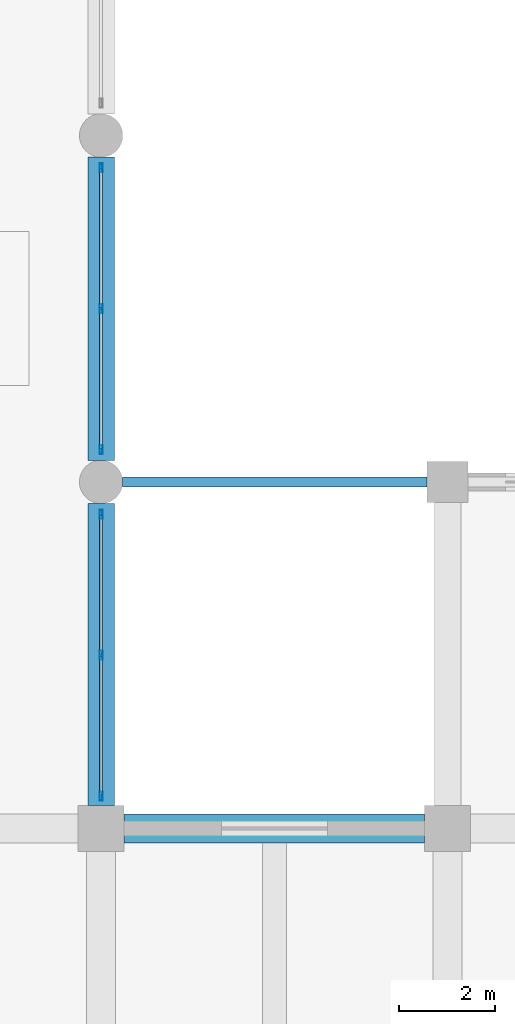
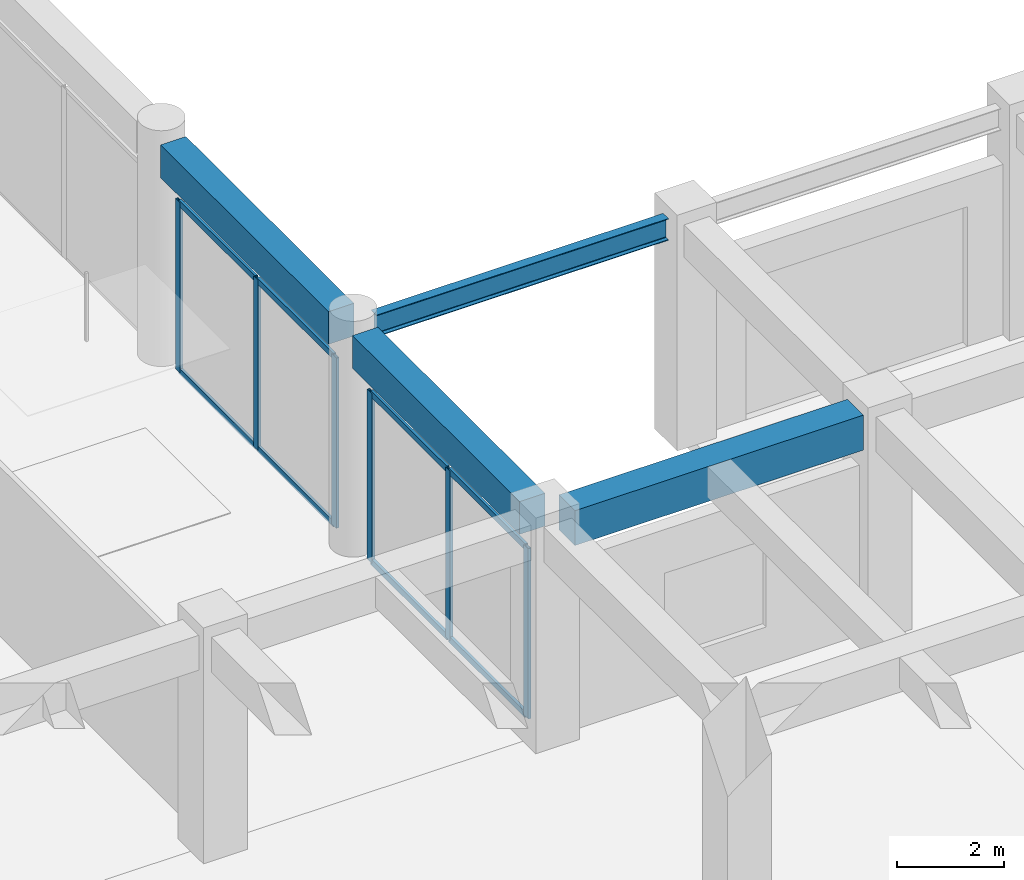
# One storey, part 16 of 56: 14 members, 4 beams, 2 elements without a shape of their own.
"""IFC4 building model written with IfcOpenShell, lengths in metres."""

from ifc_helpers import new_model, si_unit, direction, frame, origin, origin_2d, place, context, subcontext, project, spatial, rectangle, hollow_rectangle, i_section, extrude, material, material_profile, profile_set, type_object, element, aggregate, save


model = new_model("IFC4")

# Units and contexts
model_context = context("Model", 3, precision=1e-05, world=origin(), true_north=direction((0.0, 1.0)))
body_context = subcontext(model_context, "Body", "Model", "MODEL_VIEW")
ifc_project = project(units=[si_unit("LENGTHUNIT", "METRE"), si_unit("AREAUNIT", "SQUARE_METRE"), si_unit("VOLUMEUNIT", "CUBIC_METRE"), si_unit("PLANEANGLEUNIT", "RADIAN"), si_unit("MASSUNIT", "GRAM", prefix="KILO")], contexts=[model_context])

# Site, building, storey
site_placement = place(None, origin())
site = spatial("IfcSite", under=ifc_project, at=site_placement, CompositionType="ELEMENT")
building_placement = place(site_placement, origin())
building = spatial("IfcBuilding", under=site, at=building_placement, Name="Kazehaya Institute of Natural Sciences", CompositionType="ELEMENT")
storey_placement = place(building_placement, origin())
storey = spatial("IfcBuildingStorey", under=building, at=storey_placement, Name="L00", CompositionType="ELEMENT", Elevation=0.0)

# Beams
ifc_material_1 = material(Name="Concrete Fc36", Category="concrete")
ifc_material_profile_1 = material_profile(ifc_material_1, rectangle(XDim=0.550048828125, YDim=0.75, at=origin_2d()), Name="RC-550x750")
ifc_profile_set_1 = profile_set([ifc_material_profile_1], Name="Concrete Fc36")
beam_type_1 = type_object("IfcBeamType", Name="BM-G-550x750", PredefinedType="BEAM", material=ifc_profile_set_1)
beam_1_placement = place(storey_placement, frame((112.199951171875, 36.074951171875, 4.7548828125), z_axis=(0.0, 1.0, 0.0), x_axis=(-1.0, 0.0, 0.0)))
element("IfcBeam", 1, at=beam_1_placement, inside=storey, type_object=beam_type_1, Name="L00 primary Y girder BMY-L00-1122-356", PredefinedType="BEAM", context=body_context, shape_type="SweptSolid", body=[
    extrude(rectangle(XDim=0.550048828125, YDim=0.75, at=origin_2d()), origin(), (0.0, 0.0, 1.0), 6.275146484375),
])
beam_2_placement = place(storey_placement, frame((112.199951171875, 43.25, 4.7548828125), z_axis=(0.0, 1.0, 0.0), x_axis=(-1.0, 0.0, 0.0)))
element("IfcBeam", 2, at=beam_2_placement, inside=storey, type_object=beam_type_1, Name="L00 primary Y girder BMY-L00-1122-428", PredefinedType="BEAM", context=body_context, shape_type="SweptSolid", body=[
    extrude(rectangle(XDim=0.550048828125, YDim=0.75, at=origin_2d()), origin(), (0.0, 0.0, 1.0), 6.300048828125),
])
ifc_material_profile_2 = material_profile(ifc_material_1, rectangle(XDim=0.60009765625, YDim=0.800048828125, at=origin_2d()), Name="RC-600x800")
ifc_profile_set_2 = profile_set([ifc_material_profile_2], Name="Concrete Fc36")
beam_type_2 = type_object("IfcBeamType", Name="BM-G-600x800", PredefinedType="BEAM", material=ifc_profile_set_2)
beam_3_placement = place(storey_placement, frame((112.675048828125, 35.60009765625, 4.72998046875), z_axis=(1.0, 0.0, 0.0), x_axis=(0.0, 1.0, 0.0)))
element("IfcBeam", 3, at=beam_3_placement, inside=storey, type_object=beam_type_2, Name="L00 primary X girder BMX-L00-1122-356", PredefinedType="BEAM", context=body_context, shape_type="SweptSolid", body=[
    extrude(rectangle(XDim=0.60009765625, YDim=0.800048828125, at=origin_2d()), origin(), (0.0, 0.0, 1.0), 6.25),
])
ifc_material_2 = material(Name="Structural steel SN490B", Category="steel")
ifc_material_profile_3 = material_profile(ifc_material_2, i_section(OverallWidth=0.199951171875, OverallDepth=0.5, WebThickness=0.010009765625, FlangeThickness=0.01611328125, FilletRadius=0.01611328125, at=origin_2d()), Name="H-500x200x10x16")
ifc_profile_set_3 = profile_set([ifc_material_profile_3], Name="Structural steel SN490B")
beam_type_3 = type_object("IfcBeamType", Name="BM-STL-H500", PredefinedType="BEAM", material=ifc_profile_set_3)
beam_4_placement = place(storey_placement, frame((112.64990234375, 42.800048828125, 4.8798828125), z_axis=(1.0, 0.0, 0.0), x_axis=(0.0, 1.0, 0.0)))
element("IfcBeam", 4, at=beam_4_placement, inside=storey, type_object=beam_type_3, Name="L00 primary X girder BMX-L00-1122-428", PredefinedType="BEAM", context=body_context, shape_type="SweptSolid", body=[
    extrude(i_section(OverallWidth=0.199951171875, OverallDepth=0.5, WebThickness=0.010009765625, FlangeThickness=0.01611328125, FilletRadius=0.01611328125, at=origin_2d()), origin(), (0.0, 0.0, 1.0), 6.3251953125),
])

# Curtain wall, members
ifc_material_3 = material(Name="Aluminium alloy A6063S-T5", Category="aluminium")
curtain_wall_type = type_object("IfcCurtainWallType", Name="CW-SYS-01", PredefinedType="NOTDEFINED", material=ifc_material_3)
curtain_wall_1_placement = place(storey_placement, origin())
curtain_wall_1 = element("IfcCurtainWall", 5, at=curtain_wall_1_placement, inside=storey, type_object=curtain_wall_type, Name="L00 unitised curtain wall CW-L00-008", PredefinedType="NOTDEFINED")
ifc_material_profile_4 = material_profile(ifc_material_3, hollow_rectangle(XDim=0.06005859375, YDim=0.179931640625, WallThickness=0.00390625, at=origin_2d()), Name="ALU-60x180x4")
ifc_profile_set_4 = profile_set([ifc_material_profile_4], Name="Aluminium alloy A6063S-T5")
member_type_1 = type_object("IfcMemberType", Name="CWM-180", PredefinedType="MULLION", material=ifc_profile_set_4)
member_1_placement = place(storey_placement, frame((112.199951171875, 42.1298828125, 0.0), z_axis=(0.0, 0.0, 1.0), x_axis=(1.0, 0.0, 0.0)))
member_1 = element("IfcMember", 6, at=member_1_placement, type_object=member_type_1, Name="CW01 mullion 1", PredefinedType="MULLION", context=body_context, shape_type="SweptSolid", body=[
    extrude(hollow_rectangle(XDim=0.06005859375, YDim=0.179931640625, WallThickness=0.00390625, at=origin_2d()), origin(), (0.0, 0.0, 1.0), 3.89990234375),
])
member_2_placement = place(storey_placement, frame((112.199951171875, 39.199951171875, 0.0), z_axis=(0.0, 0.0, 1.0), x_axis=(1.0, 0.0, 0.0)))
member_2 = element("IfcMember", 7, at=member_2_placement, type_object=member_type_1, Name="CW01 mullion 2", PredefinedType="MULLION", context=body_context, shape_type="SweptSolid", body=[
    extrude(hollow_rectangle(XDim=0.06005859375, YDim=0.179931640625, WallThickness=0.00390625, at=origin_2d()), origin(), (0.0, 0.0, 1.0), 3.89990234375),
])
member_3_placement = place(storey_placement, frame((112.199951171875, 36.27001953125, 0.0), z_axis=(0.0, 0.0, 1.0), x_axis=(1.0, 0.0, 0.0)))
member_3 = element("IfcMember", 8, at=member_3_placement, type_object=member_type_1, Name="CW01 mullion 3", PredefinedType="MULLION", context=body_context, shape_type="SweptSolid", body=[
    extrude(hollow_rectangle(XDim=0.06005859375, YDim=0.179931640625, WallThickness=0.00390625, at=origin_2d()), origin(), (0.0, 0.0, 1.0), 3.89990234375),
])

curtain_wall_2_placement = place(storey_placement, origin())
curtain_wall_2 = element("IfcCurtainWall", 9, at=curtain_wall_2_placement, inside=storey, type_object=curtain_wall_type, Name="L00 unitised curtain wall CW-L00-010", PredefinedType="NOTDEFINED")
member_4_placement = place(storey_placement, frame((112.199951171875, 49.330078125, 0.0), z_axis=(0.0, 0.0, 1.0), x_axis=(1.0, 0.0, 0.0)))
member_4 = element("IfcMember", 10, at=member_4_placement, type_object=member_type_1, Name="CW01 mullion 1", PredefinedType="MULLION", context=body_context, shape_type="SweptSolid", body=[
    extrude(hollow_rectangle(XDim=0.06005859375, YDim=0.179931640625, WallThickness=0.00390625, at=origin_2d()), origin(), (0.0, 0.0, 1.0), 3.89990234375),
])
member_5_placement = place(storey_placement, frame((112.199951171875, 46.39990234375, 0.0), z_axis=(0.0, 0.0, 1.0), x_axis=(1.0, 0.0, 0.0)))
member_5 = element("IfcMember", 11, at=member_5_placement, type_object=member_type_1, Name="CW01 mullion 2", PredefinedType="MULLION", context=body_context, shape_type="SweptSolid", body=[
    extrude(hollow_rectangle(XDim=0.06005859375, YDim=0.179931640625, WallThickness=0.00390625, at=origin_2d()), origin(), (0.0, 0.0, 1.0), 3.89990234375),
])
member_6_placement = place(storey_placement, frame((112.199951171875, 43.469970703125, 0.0), z_axis=(0.0, 0.0, 1.0), x_axis=(1.0, 0.0, 0.0)))
member_6 = element("IfcMember", 12, at=member_6_placement, type_object=member_type_1, Name="CW01 mullion 3", PredefinedType="MULLION", context=body_context, shape_type="SweptSolid", body=[
    extrude(hollow_rectangle(XDim=0.06005859375, YDim=0.179931640625, WallThickness=0.00390625, at=origin_2d()), origin(), (0.0, 0.0, 1.0), 3.89990234375),
])

# Member
ifc_material_profile_5 = material_profile(ifc_material_3, hollow_rectangle(XDim=0.06005859375, YDim=0.139892578125, WallThickness=0.00341796875, at=origin_2d()), Name="ALU-60x140x3.5")
ifc_profile_set_5 = profile_set([ifc_material_profile_5], Name="Aluminium alloy A6063S-T5")
member_type_2 = type_object("IfcMemberType", Name="CWT-140", PredefinedType="USERDEFINED", material=ifc_profile_set_5)
member_7_placement = place(storey_placement, frame((112.199951171875, 42.10009765625, 0.030029296875), z_axis=(0.0, -1.0, 0.0), x_axis=(1.0, 0.0, 0.0)))
member_7 = element("IfcMember", 13, at=member_7_placement, type_object=member_type_2, Name="CW01 transom 1.1", ObjectType="TRANSOM", PredefinedType="USERDEFINED", context=body_context, shape_type="SweptSolid", body=[
    extrude(hollow_rectangle(XDim=0.06005859375, YDim=0.139892578125, WallThickness=0.00341796875, at=origin_2d()), origin(), (0.0, 0.0, 1.0), 2.8701171875),
])

member_8_placement = place(storey_placement, frame((112.199951171875, 42.10009765625, 3.8701171875), z_axis=(0.0, -1.0, 0.0), x_axis=(1.0, 0.0, 0.0)))
member_8 = element("IfcMember", 14, at=member_8_placement, type_object=member_type_2, Name="CW01 transom 1.2", ObjectType="TRANSOM", PredefinedType="USERDEFINED", context=body_context, shape_type="SweptSolid", body=[
    extrude(hollow_rectangle(XDim=0.06005859375, YDim=0.139892578125, WallThickness=0.00341796875, at=origin_2d()), origin(), (0.0, 0.0, 1.0), 2.8701171875),
])

member_9_placement = place(storey_placement, frame((112.199951171875, 39.169921875, 0.030029296875), z_axis=(0.0, -1.0, 0.0), x_axis=(1.0, 0.0, 0.0)))
member_9 = element("IfcMember", 15, at=member_9_placement, type_object=member_type_2, Name="CW01 transom 2.1", ObjectType="TRANSOM", PredefinedType="USERDEFINED", context=body_context, shape_type="SweptSolid", body=[
    extrude(hollow_rectangle(XDim=0.06005859375, YDim=0.139892578125, WallThickness=0.00341796875, at=origin_2d()), origin(), (0.0, 0.0, 1.0), 2.869873046875),
])

member_10_placement = place(storey_placement, frame((112.199951171875, 39.169921875, 3.8701171875), z_axis=(0.0, -1.0, 0.0), x_axis=(1.0, 0.0, 0.0)))
member_10 = element("IfcMember", 16, at=member_10_placement, type_object=member_type_2, Name="CW01 transom 2.2", ObjectType="TRANSOM", PredefinedType="USERDEFINED", context=body_context, shape_type="SweptSolid", body=[
    extrude(hollow_rectangle(XDim=0.06005859375, YDim=0.139892578125, WallThickness=0.00341796875, at=origin_2d()), origin(), (0.0, 0.0, 1.0), 2.869873046875),
])

aggregate(curtain_wall_1, [member_1, member_2, member_3, member_7, member_8, member_9, member_10])

member_11_placement = place(storey_placement, frame((112.199951171875, 49.300048828125, 0.030029296875), z_axis=(0.0, -1.0, 0.0), x_axis=(1.0, 0.0, 0.0)))
member_11 = element("IfcMember", 17, at=member_11_placement, type_object=member_type_2, Name="CW01 transom 1.1", ObjectType="TRANSOM", PredefinedType="USERDEFINED", context=body_context, shape_type="SweptSolid", body=[
    extrude(hollow_rectangle(XDim=0.06005859375, YDim=0.139892578125, WallThickness=0.00341796875, at=origin_2d()), origin(), (0.0, 0.0, 1.0), 2.8701171875),
])

member_12_placement = place(storey_placement, frame((112.199951171875, 49.300048828125, 3.8701171875), z_axis=(0.0, -1.0, 0.0), x_axis=(1.0, 0.0, 0.0)))
member_12 = element("IfcMember", 18, at=member_12_placement, type_object=member_type_2, Name="CW01 transom 1.2", ObjectType="TRANSOM", PredefinedType="USERDEFINED", context=body_context, shape_type="SweptSolid", body=[
    extrude(hollow_rectangle(XDim=0.06005859375, YDim=0.139892578125, WallThickness=0.00341796875, at=origin_2d()), origin(), (0.0, 0.0, 1.0), 2.8701171875),
])

member_13_placement = place(storey_placement, frame((112.199951171875, 46.3701171875, 0.030029296875), z_axis=(0.0, -1.0, 0.0), x_axis=(1.0, 0.0, 0.0)))
member_13 = element("IfcMember", 19, at=member_13_placement, type_object=member_type_2, Name="CW01 transom 2.1", ObjectType="TRANSOM", PredefinedType="USERDEFINED", context=body_context, shape_type="SweptSolid", body=[
    extrude(hollow_rectangle(XDim=0.06005859375, YDim=0.139892578125, WallThickness=0.00341796875, at=origin_2d()), origin(), (0.0, 0.0, 1.0), 2.8701171875),
])

member_14_placement = place(storey_placement, frame((112.199951171875, 46.3701171875, 3.8701171875), z_axis=(0.0, -1.0, 0.0), x_axis=(1.0, 0.0, 0.0)))
member_14 = element("IfcMember", 20, at=member_14_placement, type_object=member_type_2, Name="CW01 transom 2.2", ObjectType="TRANSOM", PredefinedType="USERDEFINED", context=body_context, shape_type="SweptSolid", body=[
    extrude(hollow_rectangle(XDim=0.06005859375, YDim=0.139892578125, WallThickness=0.00341796875, at=origin_2d()), origin(), (0.0, 0.0, 1.0), 2.8701171875),
])

aggregate(curtain_wall_2, [member_4, member_5, member_6, member_11, member_12, member_13, member_14])

save(model, "model.ifc")
